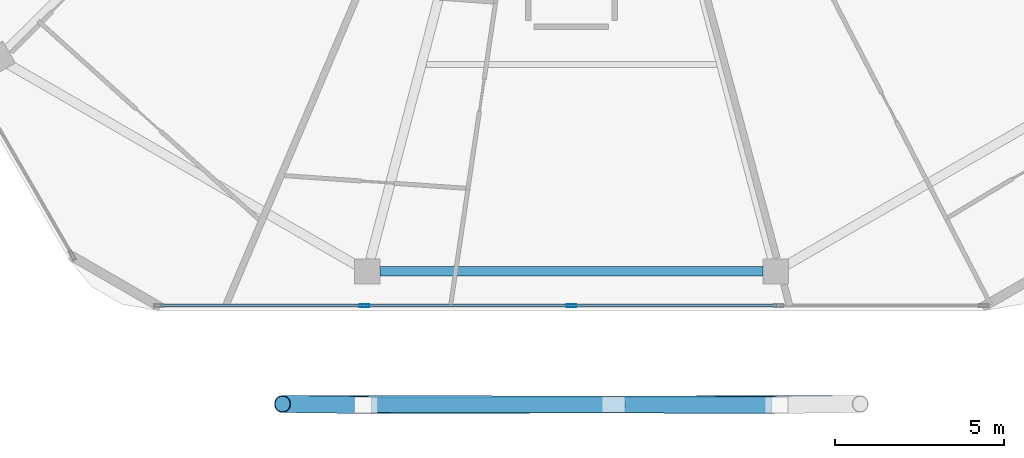
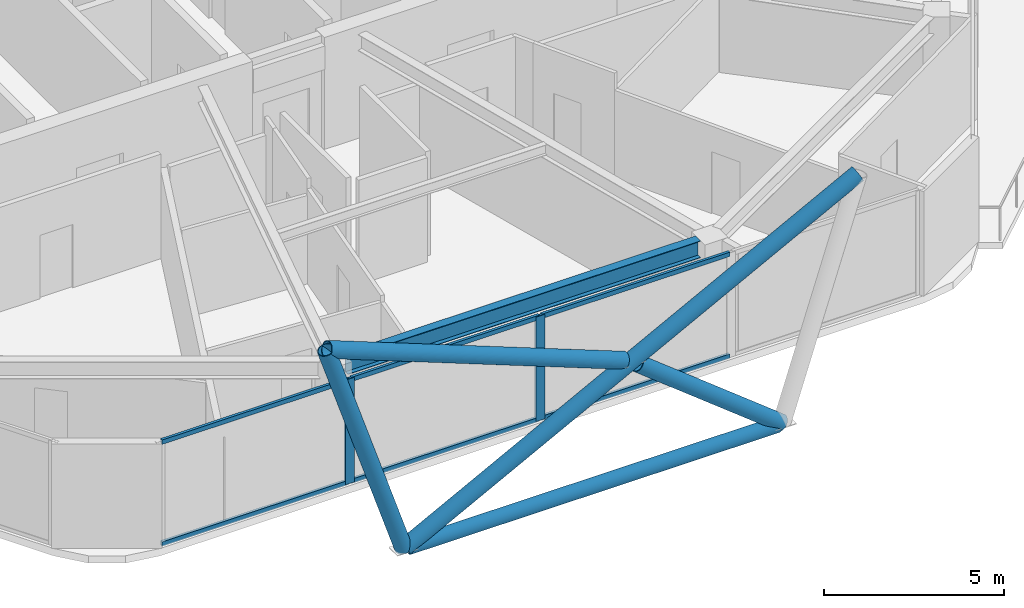
# One storey, part 4 of 24: 13 members, 1 beam, 1 element without a shape of its own.
"""IFC4 building model written with IfcOpenShell, lengths in metres."""

import ifcopenshell
import ifcopenshell.guid

model = None  # the IFC model being written
_history = None  # IfcOwnerHistory: only IFC2X3 demands one
_inside = {}  # id of a spatial element -> (the spatial element, [elements in it])
_under = {}  # id of a project, library or spatial element -> (it, [spatial elements below it])
_declared = {}  # id of a project -> (the project, [libraries it declares])
_typed = {}  # id of a type object -> (the type object, [elements of that type])
_made_of = {}  # id of a material, layer set ... -> (it, [elements and type objects made of it])


def new_model(schema):
    """Start an empty IFC model of exactly this schema.

    Asked for "IFC4X3", IfcOpenShell would pick the latest addendum, in which some entities
    have other attributes; the version numbers below select the first issue.
    IFC2X3 requires an IfcOwnerHistory on every rooted entity: one is made here for all.
    """
    global model, _history
    if schema == "IFC4X3":
        model = ifcopenshell.file(schema_version=(4, 3, 0, 0))
    else:
        model = ifcopenshell.file(schema=schema)
    _inside.clear()
    _under.clear()
    _declared.clear()
    _typed.clear()
    _made_of.clear()
    _history = None
    if model.schema == "IFC2X3":
        org = make("IfcOrganization", Name="unknown")
        user = make(
            "IfcPersonAndOrganization",
            ThePerson=make("IfcPerson", FamilyName="unknown"),
            TheOrganization=org,
        )
        app = make(
            "IfcApplication",
            ApplicationDeveloper=org,
            Version="unknown",
            ApplicationFullName="unknown",
            ApplicationIdentifier="unknown",
        )
        _history = make(
            "IfcOwnerHistory",
            OwningUser=user,
            OwningApplication=app,
            ChangeAction="ADDED",
            CreationDate=0,
        )
    return model


def make(cls, **values):
    """One entity of the class cls with the attributes given. An attribute that is None is left unset."""
    return model.create_entity(
        cls, **{name: value for name, value in values.items() if value is not None}
    )


def rooted(cls, **values):
    """An entity with a GlobalId (a new one), such as an element, a storey or a relation."""
    return make(cls, GlobalId=ifcopenshell.guid.new(), OwnerHistory=_history, **values)


def si_unit(unit_type, name, prefix=None):
    """IfcSIUnit, for example si_unit("LENGTHUNIT", "METRE", prefix="MILLI")."""
    return make("IfcSIUnit", UnitType=unit_type, Prefix=prefix, Name=name)


def assignment(units):
    """IfcUnitAssignment: the units of a project."""
    return None if units is None else make("IfcUnitAssignment", Units=units)


def point(xyz):
    """IfcCartesianPoint."""
    return None if xyz is None else make("IfcCartesianPoint", Coordinates=xyz)


def direction(xyz):
    """IfcDirection."""
    return None if xyz is None else make("IfcDirection", DirectionRatios=xyz)


def frame(location, z_axis=None, x_axis=None):
    """IfcAxis2Placement3D, a coordinate frame: its origin and axes. An axis left out is left unset."""
    return make(
        "IfcAxis2Placement3D",
        Location=point(location),
        Axis=direction(z_axis),
        RefDirection=direction(x_axis),
    )


def frame_2d(location, x_axis=None):
    """IfcAxis2Placement2D, a coordinate frame in the plane: its origin and x axis."""
    return make(
        "IfcAxis2Placement2D", Location=point(location), RefDirection=direction(x_axis)
    )


def origin():
    """The frame at (0, 0, 0) with its axes left unset."""
    return frame((0.0, 0.0, 0.0))


def origin_2d():
    """The frame at (0, 0) in the plane with its x axis left unset."""
    return frame_2d((0.0, 0.0))


def place(relative_to, where):
    """IfcLocalPlacement: puts the frame where relative to a parent placement (None: the world)."""
    return make(
        "IfcLocalPlacement", PlacementRelTo=relative_to, RelativePlacement=where
    )


def context(
    kind, dimensions, precision=None, world=None, true_north=None, identifier=None
):
    """IfcGeometricRepresentationContext, for example the 3D "Model" context."""
    return make(
        "IfcGeometricRepresentationContext",
        ContextIdentifier=identifier,
        ContextType=kind,
        CoordinateSpaceDimension=dimensions,
        Precision=precision,
        WorldCoordinateSystem=world,
        TrueNorth=true_north,
    )


def subcontext(parent, identifier, kind, view, scale=None):
    """IfcGeometricRepresentationSubContext, for example "Body" below "Model"."""
    return make(
        "IfcGeometricRepresentationSubContext",
        ContextIdentifier=identifier,
        ContextType=kind,
        ParentContext=parent,
        TargetScale=scale,
        TargetView=view,
    )


def project(units=None, contexts=None):
    """IfcProject with its units and contexts."""
    return rooted(
        "IfcProject",
        Name="project",
        RepresentationContexts=contexts,
        UnitsInContext=assignment(units),
    )


def spatial(cls, under=None, at=None, **own):
    """A site, building, storey or space (cls), placed at a placement, below another one or the project."""
    s = rooted(cls, ObjectPlacement=at, **own)
    if under is not None:
        _under.setdefault(under.id(), (under, []))[1].append(s)
    return s


def profile(cls, at=None, kind="AREA", **sizes):
    """A parametric profile (cls). Its sizes go by their IFC names, for example OverallWidth=200.0."""
    return make(cls, ProfileType=kind, Position=at, **sizes)


def hollow_rectangle(**sizes):
    """IfcRectangleHollowProfileDef."""
    return profile("IfcRectangleHollowProfileDef", **sizes)


def hollow_circle(**sizes):
    """IfcCircleHollowProfileDef."""
    return profile("IfcCircleHollowProfileDef", **sizes)


def i_section(**sizes):
    """IfcIShapeProfileDef."""
    return profile("IfcIShapeProfileDef", **sizes)


def extrude(swept, where, along, depth):
    """IfcExtrudedAreaSolid: the profile swept, set in the frame where, extruded along a direction by depth."""
    return make(
        "IfcExtrudedAreaSolid",
        SweptArea=swept,
        Position=where,
        ExtrudedDirection=direction(along),
        Depth=depth,
    )


def shape(context_of_items, identifier, shape_type, items):
    """IfcShapeRepresentation: the items that make up one representation, for example the "Body"."""
    return make(
        "IfcShapeRepresentation",
        ContextOfItems=context_of_items,
        RepresentationIdentifier=identifier,
        RepresentationType=shape_type,
        Items=items,
    )


def material(Name=None, Category=None):
    """IfcMaterial."""
    return make("IfcMaterial", Name=Name, Category=Category)


def material_profile(
    of_material, cross_section, Name=None, Category=None, Priority=None
):
    """IfcMaterialProfile: a cross section and its material."""
    return make(
        "IfcMaterialProfile",
        Name=Name,
        Material=of_material,
        Profile=cross_section,
        Priority=Priority,
        Category=Category,
    )


def profile_set(profiles, Name=None, composite=None):
    """IfcMaterialProfileSet."""
    return make(
        "IfcMaterialProfileSet",
        Name=Name,
        MaterialProfiles=profiles,
        CompositeProfile=composite,
    )


def made_of(thing, what):
    """Note that an element or type object is made of a material, layer set ...; save() writes the relation."""
    if what is not None:
        _made_of.setdefault(what.id(), (what, []))[1].append(thing)
    return thing


def type_object(cls, material=None, **own):
    """A type object (cls), such as IfcWallType, which elements share."""
    return made_of(rooted(cls, **own), material)


def element(
    cls,
    number,
    at=None,
    inside=None,
    cuts=None,
    type_object=None,
    material=None,
    context=None,
    identifier="Body",
    shape_type=None,
    held_by="IfcProductDefinitionShape",
    body=None,
    shapes=None,
    **own,
):
    """One element of the class cls, such as IfcWall. Its Tag is "e" and its number.

    at: its placement. inside: the storey or other place that contains it. cuts: it is an
    opening in that element (IfcRelVoidsElement). A single representation is given by context,
    identifier, shape_type and body (its items); several are given by shapes. held_by: the class
    of the entity that holds the representations. save() writes the other relations.
    """
    e = rooted(cls, Tag="e%d" % number, ObjectPlacement=at, **own)
    if body is not None:
        shapes = [shape(context, identifier, shape_type, body)]
    if shapes is not None:
        e.Representation = make(held_by, Representations=shapes)
    if inside is not None:
        _inside.setdefault(inside.id(), (inside, []))[1].append(e)
    if cuts is not None:
        rooted(
            "IfcRelVoidsElement", RelatingBuildingElement=cuts, RelatedOpeningElement=e
        )
    if type_object is not None:
        _typed.setdefault(type_object.id(), (type_object, []))[1].append(e)
    return made_of(e, material)


def aggregate(whole, parts):
    """IfcRelAggregates: a whole, such as a stair, and the parts it consists of."""
    return rooted("IfcRelAggregates", RelatingObject=whole, RelatedObjects=parts)


def save(model, path):
    """Write the relations noted so far, then the file.

    IfcRelAggregates (storeys below a building ...), IfcRelContainedInSpatialStructure (elements
    in a storey), IfcRelDefinesByType, IfcRelAssociatesMaterial and IfcRelDeclares: one each for
    every whole, place, type object, material and project.
    """
    for whole, parts in _under.values():
        aggregate(whole, parts)
    for where, things in _inside.values():
        rooted(
            "IfcRelContainedInSpatialStructure",
            RelatedElements=things,
            RelatingStructure=where,
        )
    for kind, things in _typed.values():
        rooted("IfcRelDefinesByType", RelatedObjects=things, RelatingType=kind)
    for what, things in _made_of.values():
        rooted("IfcRelAssociatesMaterial", RelatedObjects=things, RelatingMaterial=what)
    for by, libraries in _declared.values():
        rooted("IfcRelDeclares", RelatingContext=by, RelatedDefinitions=libraries)
    model.write(path)


model = new_model("IFC4")

# Units and contexts
model_context = context("Model", 3, precision=1e-05, world=origin(), true_north=direction((0.0, 1.0)))
body_context = subcontext(model_context, "Body", "Model", "MODEL_VIEW")
ifc_project = project(units=[si_unit("LENGTHUNIT", "METRE"), si_unit("AREAUNIT", "SQUARE_METRE"), si_unit("VOLUMEUNIT", "CUBIC_METRE"), si_unit("PLANEANGLEUNIT", "RADIAN"), si_unit("MASSUNIT", "GRAM", prefix="KILO")], contexts=[model_context])

# Site, building, storey
site_placement = place(None, origin())
site = spatial("IfcSite", under=ifc_project, at=site_placement, CompositionType="ELEMENT")
building_placement = place(site_placement, origin())
building = spatial("IfcBuilding", under=site, at=building_placement, Name="Zuhravey Tower", CompositionType="ELEMENT")
storey_placement = place(building_placement, frame((0.0, 0.0, 338.60009765625)))
storey = spatial("IfcBuildingStorey", under=building, at=storey_placement, Name="L86", CompositionType="ELEMENT", Elevation=338.60009765625)

# Curtain wall, members
ifc_material_1 = material(Name="Thermally broken anodised aluminium", Category="aluminium")
curtain_wall_type = type_object("IfcCurtainWallType", Name="Zone 3-4 High-Rise Curtain Wall CW4", PredefinedType="NOTDEFINED", material=ifc_material_1)
curtain_wall_placement = place(storey_placement, origin())
curtain_wall = element("IfcCurtainWall", 1, at=curtain_wall_placement, inside=storey, type_object=curtain_wall_type, Name="L86 CW4 CW-L86-F5-1", PredefinedType="NOTDEFINED")
ifc_material_2 = material(Name="Anodised aluminium", Category="aluminium")
ifc_material_profile_1 = material_profile(ifc_material_2, hollow_rectangle(XDim=0.090087890625, YDim=0.284912109375, WallThickness=0.0048828125, at=origin_2d()), Name="ALU-RHS-90x285x5")
ifc_profile_set_1 = profile_set([ifc_material_profile_1], Name="Anodised aluminium")
member_type_1 = type_object("IfcMemberType", Name="Curtain-Wall Mullion 90x180", PredefinedType="MULLION", material=ifc_profile_set_1)
member_1_placement = place(storey_placement, frame((36.0, 7.92578125, 0.0), z_axis=(0.0, 0.0, 1.0), x_axis=(0.0, -1.0, 0.0)))
member_1 = element("IfcMember", 2, at=member_1_placement, type_object=member_type_1, Name="CW4 mullion 3", PredefinedType="MULLION", context=body_context, shape_type="SweptSolid", body=[
    extrude(hollow_rectangle(XDim=0.090087890625, YDim=0.284912109375, WallThickness=0.0048828125, at=origin_2d()), origin(), (0.0, 0.0, 1.0), 3.5498046875),
])
member_2_placement = place(storey_placement, frame((29.88037109375, 7.92578125, 0.0), z_axis=(0.0, 0.0, 1.0), x_axis=(0.0, -1.0, 0.0)))
member_2 = element("IfcMember", 3, at=member_2_placement, type_object=member_type_1, Name="CW4 mullion 4", PredefinedType="MULLION", context=body_context, shape_type="SweptSolid", body=[
    extrude(hollow_rectangle(XDim=0.090087890625, YDim=0.284912109375, WallThickness=0.0048828125, at=origin_2d()), origin(), (0.0, 0.0, 1.0), 3.5498046875),
])
ifc_material_profile_2 = material_profile(ifc_material_2, hollow_rectangle(XDim=0.090087890625, YDim=0.14990234375, WallThickness=0.0048828125, at=origin_2d()), Name="ALU-RHS-90x150x5")
ifc_profile_set_2 = profile_set([ifc_material_profile_2], Name="Anodised aluminium")
member_type_2 = type_object("IfcMemberType", Name="Curtain-Wall Transom 90x150", PredefinedType="USERDEFINED", material=ifc_profile_set_2)
member_3_placement = place(storey_placement, frame((42.07470703125, 7.92578125, 0.044921875), z_axis=(-1.0, 0.0, 0.0), x_axis=(0.0, -1.0, 0.0)))
member_3 = element("IfcMember", 4, at=member_3_placement, type_object=member_type_2, Name="CW4 transom 2.1", ObjectType="TRANSOM", PredefinedType="USERDEFINED", context=body_context, shape_type="SweptSolid", body=[
    extrude(hollow_rectangle(XDim=0.090087890625, YDim=0.14990234375, WallThickness=0.0048828125, at=origin_2d()), origin(), (0.0, 0.0, 1.0), 6.02978515625),
])
member_4_placement = place(storey_placement, frame((42.07470703125, 7.92578125, 3.5048828125), z_axis=(-1.0, 0.0, 0.0), x_axis=(0.0, -1.0, 0.0)))
member_4 = element("IfcMember", 5, at=member_4_placement, type_object=member_type_2, Name="CW4 transom 2.2", ObjectType="TRANSOM", PredefinedType="USERDEFINED", context=body_context, shape_type="SweptSolid", body=[
    extrude(hollow_rectangle(XDim=0.090087890625, YDim=0.14990234375, WallThickness=0.0048828125, at=origin_2d()), origin(), (0.0, 0.0, 1.0), 6.02978515625),
])
member_5_placement = place(storey_placement, frame((35.955078125, 7.92578125, 0.044921875), z_axis=(-1.0, 0.0, 0.0), x_axis=(0.0, -1.0, 0.0)))
member_5 = element("IfcMember", 6, at=member_5_placement, type_object=member_type_2, Name="CW4 transom 3.1", ObjectType="TRANSOM", PredefinedType="USERDEFINED", context=body_context, shape_type="SweptSolid", body=[
    extrude(hollow_rectangle(XDim=0.090087890625, YDim=0.14990234375, WallThickness=0.0048828125, at=origin_2d()), origin(), (0.0, 0.0, 1.0), 6.02978515625),
])
member_6_placement = place(storey_placement, frame((35.955078125, 7.92578125, 3.5048828125), z_axis=(-1.0, 0.0, 0.0), x_axis=(0.0, -1.0, 0.0)))
member_6 = element("IfcMember", 7, at=member_6_placement, type_object=member_type_2, Name="CW4 transom 3.2", ObjectType="TRANSOM", PredefinedType="USERDEFINED", context=body_context, shape_type="SweptSolid", body=[
    extrude(hollow_rectangle(XDim=0.090087890625, YDim=0.14990234375, WallThickness=0.0048828125, at=origin_2d()), origin(), (0.0, 0.0, 1.0), 6.02978515625),
])
member_7_placement = place(storey_placement, frame((29.83544921875, 7.92578125, 0.044921875), z_axis=(-1.0, 0.0, 0.0), x_axis=(0.0, -1.0, 0.0)))
member_7 = element("IfcMember", 8, at=member_7_placement, type_object=member_type_2, Name="CW4 transom 4.1", ObjectType="TRANSOM", PredefinedType="USERDEFINED", context=body_context, shape_type="SweptSolid", body=[
    extrude(hollow_rectangle(XDim=0.090087890625, YDim=0.14990234375, WallThickness=0.0048828125, at=origin_2d()), origin(), (0.0, 0.0, 1.0), 5.98486328125),
])
member_8_placement = place(storey_placement, frame((29.83544921875, 7.92578125, 3.5048828125), z_axis=(-1.0, 0.0, 0.0), x_axis=(0.0, -1.0, 0.0)))
member_8 = element("IfcMember", 9, at=member_8_placement, type_object=member_type_2, Name="CW4 transom 4.2", ObjectType="TRANSOM", PredefinedType="USERDEFINED", context=body_context, shape_type="SweptSolid", body=[
    extrude(hollow_rectangle(XDim=0.090087890625, YDim=0.14990234375, WallThickness=0.0048828125, at=origin_2d()), origin(), (0.0, 0.0, 1.0), 5.98486328125),
])
aggregate(curtain_wall, [member_1, member_2, member_3, member_4, member_5, member_6, member_7, member_8])

# Members
ifc_material_3 = material(Name="Steel SM355", Category="steel")
ifc_material_profile_3 = material_profile(ifc_material_3, hollow_circle(Radius=0.228515625, WallThickness=0.02197265625, at=origin_2d()), Name="CHS-457.2x22")
ifc_profile_set_3 = profile_set([ifc_material_profile_3], Name="Steel SM355")
member_type_3 = type_object("IfcMemberType", Name="Exoskeleton Ring Tie CHS457x22", PredefinedType="CHORD", material=ifc_profile_set_3)
member_9_placement = place(storey_placement, frame((30.072509765625, 4.98583984375, -0.464111328125), z_axis=(1.0, 0.0, 0.0), x_axis=(0.0, 1.0, 0.0)))
element("IfcMember", 10, at=member_9_placement, inside=storey, type_object=member_type_3, Name="L86 Exoskeleton Face 5 Tie EXR1", PredefinedType="CHORD", context=body_context, shape_type="SweptSolid", body=[
    extrude(hollow_circle(Radius=0.228515625, WallThickness=0.02197265625, at=origin_2d()), origin(), (0.0, 0.0, 1.0), 11.85498046875),
])
ifc_material_profile_4 = material_profile(ifc_material_3, hollow_circle(Radius=0.25390625, WallThickness=0.02490234375, at=origin_2d()), Name="CHS-508.0x25")
ifc_profile_set_4 = profile_set([ifc_material_profile_4], Name="Steel SM355")
member_type_4 = type_object("IfcMemberType", Name="Exoskeleton Zone 4 Diagrid CHS508x25", PredefinedType="BRACE", material=ifc_profile_set_4)
member_10_placement = place(storey_placement, frame((29.927490234375, 4.98583984375, -0.447998046875), z_axis=(-0.310460650695, 0.003771894512, 0.950578748543), x_axis=(-0.012148451521, -0.99992620484, 0.0)))
element("IfcMember", 11, at=member_10_placement, inside=storey, type_object=member_type_4, Name="L86 Face 5 Diagrid Brace 1", PredefinedType="BRACE", context=body_context, shape_type="SweptSolid", body=[
    extrude(hollow_circle(Radius=0.25390625, WallThickness=0.02490234375, at=origin_2d()), origin(), (0.0, 0.0, 1.0), 7.96142578125),
])
member_11_placement = place(storey_placement, frame((29.96337890625, 4.98583984375, -0.447998046875), z_axis=(0.887238948439, 0.001830463286, 0.461306511745), x_axis=(-0.002063096299, 0.999997871815, 0.0)))
element("IfcMember", 12, at=member_11_placement, inside=storey, type_object=member_type_4, Name="L86 Face 5 Diagrid Brace 2", PredefinedType="BRACE", context=body_context, shape_type="SweptSolid", body=[
    extrude(hollow_circle(Radius=0.25390625, WallThickness=0.02490234375, at=origin_2d()), origin(), (0.0, 0.0, 1.0), 16.4052734375),
])
member_12_placement = place(storey_placement, frame((42.0400390625, 4.986083984375, -0.442626953125), z_axis=(-0.785672725335, 0.002414764351, 0.618637646428), x_axis=(-0.003073484503, -0.999995276835, 0.0)))
element("IfcMember", 13, at=member_12_placement, inside=storey, type_object=member_type_4, Name="L86 Face 5 Split Diagrid Brace 3A", PredefinedType="BRACE", context=body_context, shape_type="SweptSolid", body=[
    extrude(hollow_circle(Radius=0.25390625, WallThickness=0.02490234375, at=origin_2d()), origin(), (0.0, 0.0, 1.0), 5.864013671875),
])
member_13_placement = place(storey_placement, frame((37.013671875, 5.001220703125, 3.424072265625), z_axis=(-0.932241037755, 0.001432820899, 0.36183503776), x_axis=(-0.001536962168, -0.999998818873, 0.0)))
element("IfcMember", 14, at=member_13_placement, inside=storey, type_object=member_type_4, Name="L86 Face 5 Split Diagrid Brace 3B", PredefinedType="BRACE", context=body_context, shape_type="SweptSolid", body=[
    extrude(hollow_circle(Radius=0.25390625, WallThickness=0.02490234375, at=origin_2d()), origin(), (0.0, 0.0, 1.0), 10.223388671875),
])

# Beam
ifc_material_profile_5 = material_profile(ifc_material_3, i_section(OverallWidth=0.280029296875, OverallDepth=0.580078125, WebThickness=0.011962890625, FlangeThickness=0.01904296875, at=origin_2d()), Name="H-580x280x12x19")
ifc_profile_set_5 = profile_set([ifc_material_profile_5], Name="Steel SM355")
beam_type = type_object("IfcBeamType", Name="Perimeter Ring Beam H580x280", PredefinedType="BEAM", material=ifc_profile_set_5)
beam_placement = place(storey_placement, frame((30.33935546875, 8.935791015625, 3.260009765625), z_axis=(1.0, 0.0, 0.0), x_axis=(0.0, 1.0, 0.0)))
element("IfcBeam", 15, at=beam_placement, inside=storey, type_object=beam_type, Name="L86 PB4 BM-L86-PB-09", PredefinedType="BEAM", context=body_context, shape_type="SweptSolid", body=[
    extrude(i_section(OverallWidth=0.280029296875, OverallDepth=0.580078125, WebThickness=0.011962890625, FlangeThickness=0.01904296875, at=origin_2d()), origin(), (0.0, 0.0, 1.0), 11.3212890625),
])

save(model, "model.ifc")
